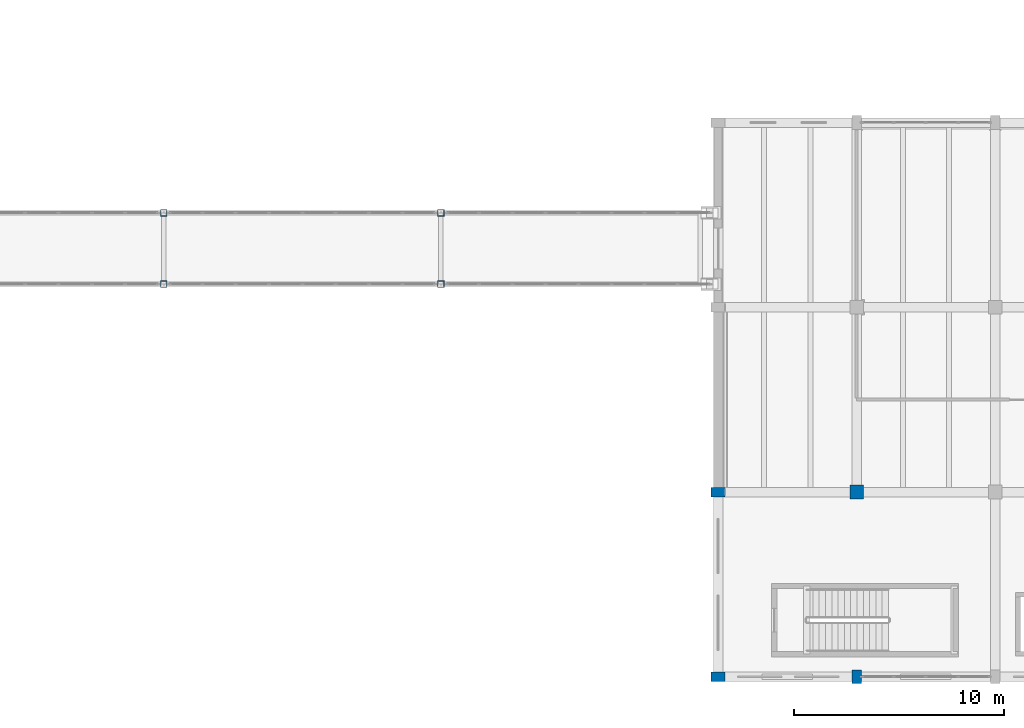
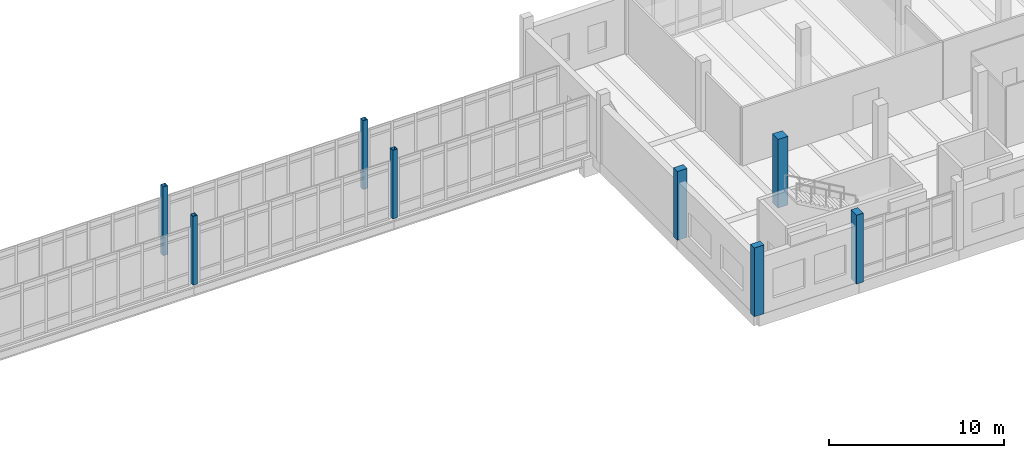
# One storey, part 4 of 101: 8 columns.
"""IFC4 building model written with IfcOpenShell, lengths in metres."""

from ifc_helpers import new_model, si_unit, direction, frame, origin, origin_2d, place, context, subcontext, project, spatial, rectangle, hollow_rectangle, extrude, material, material_profile, profile_set, type_object, element, save


model = new_model("IFC4")

# Units and contexts
model_context = context("Model", 3, precision=1e-05, world=origin(), true_north=direction((0.0, 1.0)))
body_context = subcontext(model_context, "Body", "Model", "MODEL_VIEW")
ifc_project = project(units=[si_unit("LENGTHUNIT", "METRE"), si_unit("AREAUNIT", "SQUARE_METRE"), si_unit("VOLUMEUNIT", "CUBIC_METRE"), si_unit("PLANEANGLEUNIT", "RADIAN"), si_unit("MASSUNIT", "GRAM", prefix="KILO")], contexts=[model_context])

# Site, building, storey
site_placement = place(None, origin())
site = spatial("IfcSite", under=ifc_project, at=site_placement, CompositionType="ELEMENT")
building_placement = place(site_placement, origin())
building = spatial("IfcBuilding", under=site, at=building_placement, Name="Dornvale Research Institute", CompositionType="ELEMENT")
storey_placement = place(building_placement, frame((0.0, 0.0, 10.199951171875)))
storey = spatial("IfcBuildingStorey", under=building, at=storey_placement, Name="L02", CompositionType="ELEMENT", Elevation=10.199951171875)

# Columns
ifc_material_1 = material(Name="Concrete f'c 45 MPa (C35/45)", Category="concrete")
ifc_material_profile_1 = material_profile(ifc_material_1, rectangle(XDim=0.64990234375, YDim=0.64990234375, at=origin_2d()), Name="RC 650x650")
ifc_profile_set_1 = profile_set([ifc_material_profile_1], Name="Concrete f'c 45 MPa (C35/45)")
column_type_1 = type_object("IfcColumnType", Name="Column_RC650", PredefinedType="COLUMN", material=ifc_profile_set_1)
column_placement = place(storey_placement, frame((105.60009765625, 8.800048828125, 0.0), z_axis=(0.0, 0.0, 1.0), x_axis=(1.0, 0.0, 0.0)))
element("IfcColumn", 1, at=column_placement, inside=storey, type_object=column_type_1, Name="L02 column #887", PredefinedType="COLUMN", context=body_context, shape_type="SweptSolid", body=[
    extrude(rectangle(XDim=0.64990234375, YDim=0.64990234375, at=origin_2d()), origin(), (0.0, 0.0, 1.0), 4.800048828125),
])
ifc_material_2 = material(Name="Steel ASTM A500 Grade C", Category="steel")
ifc_material_profile_2 = material_profile(ifc_material_2, hollow_rectangle(XDim=0.304931640625, YDim=0.304931640625, WallThickness=0.01171875, at=origin_2d()), Name="HSS305X305X12.7")
ifc_profile_set_2 = profile_set([ifc_material_profile_2], Name="Steel ASTM A500 Grade C")
column_type_2 = type_object("IfcColumnType", Name="Column_Steel_HSS305_Ext", PredefinedType="COLUMN", material=ifc_profile_set_2)
for number, where, z_axis, x_axis, name in (
    (2, (72.60009765625, 18.699951171875, 0.0), (0.0, 0.0, 1.0), (1.0, 0.0, 0.0), "L02 cloister link bridge pier #38"),
    (3, (85.800048828125, 18.699951171875, 0.0), (0.0, 0.0, 1.0), (1.0, 0.0, 0.0), "L02 cloister link bridge pier #42"),
    (4, (72.60009765625, 22.10009765625, 0.0), (0.0, 0.0, 1.0), (1.0, 0.0, 0.0), "L02 cloister link bridge pier #50"),
    (5, (85.800048828125, 22.10009765625, 0.0), (0.0, 0.0, 1.0), (1.0, 0.0, 0.0), "L02 cloister link bridge pier #54"),
):
    element("IfcColumn", number, at=place(storey_placement, frame(where, z_axis=z_axis, x_axis=x_axis)), inside=storey, type_object=column_type_2, Name=name, PredefinedType="COLUMN", context=body_context, shape_type="SweptSolid", body=[
        extrude(hollow_rectangle(XDim=0.304931640625, YDim=0.304931640625, WallThickness=0.01171875, at=origin_2d()), origin(), (0.0, 0.0, 1.0), 4.800048828125),
    ])
ifc_material_3 = material(Name="Concrete f'c 45 MPa (C35/45)", Category="concrete")
ifc_material_profile_3 = material_profile(ifc_material_3, rectangle(XDim=0.449951171875, YDim=0.64990234375, at=origin_2d()), Name="RC 450x650")
ifc_profile_set_3 = profile_set([ifc_material_profile_3], Name="Concrete f'c 45 MPa (C35/45)")
column_type_3 = type_object("IfcColumnType", Name="Pilaster_RC450x650_Ext", PredefinedType="PILASTER", material=ifc_profile_set_3)
for number, where, z_axis, x_axis, name in (
    (6, (99.0, 0.0, 0.0), (0.0, 0.0, 1.0), (0.0, 1.0, 0.0), "L02 column #882"),
    (7, (99.0, 8.800048828125, 0.0), (0.0, 0.0, 1.0), (0.0, 1.0, 0.0), "L02 column #883"),
    (8, (105.60009765625, 0.0, 0.0), (0.0, 0.0, 1.0), (1.0, 0.0, 0.0), "L02 column #886"),
):
    element("IfcColumn", number, at=place(storey_placement, frame(where, z_axis=z_axis, x_axis=x_axis)), inside=storey, type_object=column_type_3, Name=name, PredefinedType="PILASTER", context=body_context, shape_type="SweptSolid", body=[
        extrude(rectangle(XDim=0.449951171875, YDim=0.64990234375, at=origin_2d()), origin(), (0.0, 0.0, 1.0), 4.800048828125),
    ])

save(model, "model.ifc")
